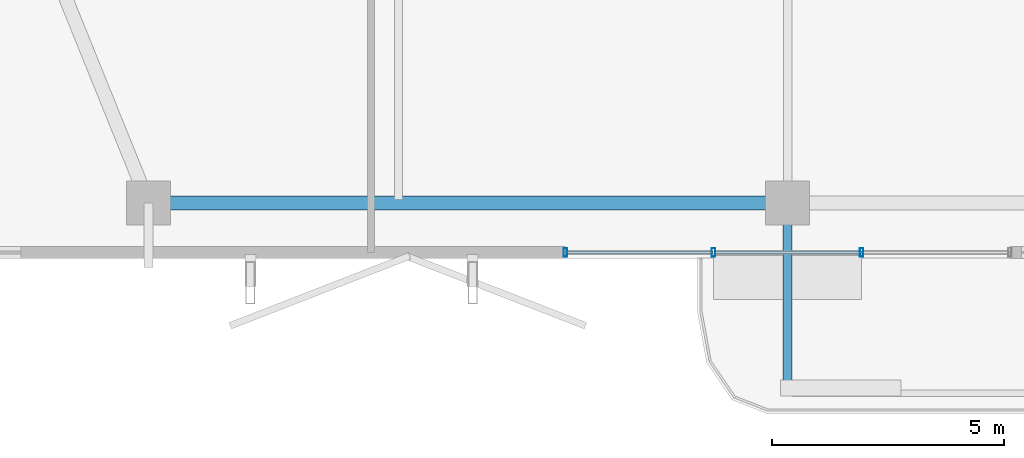
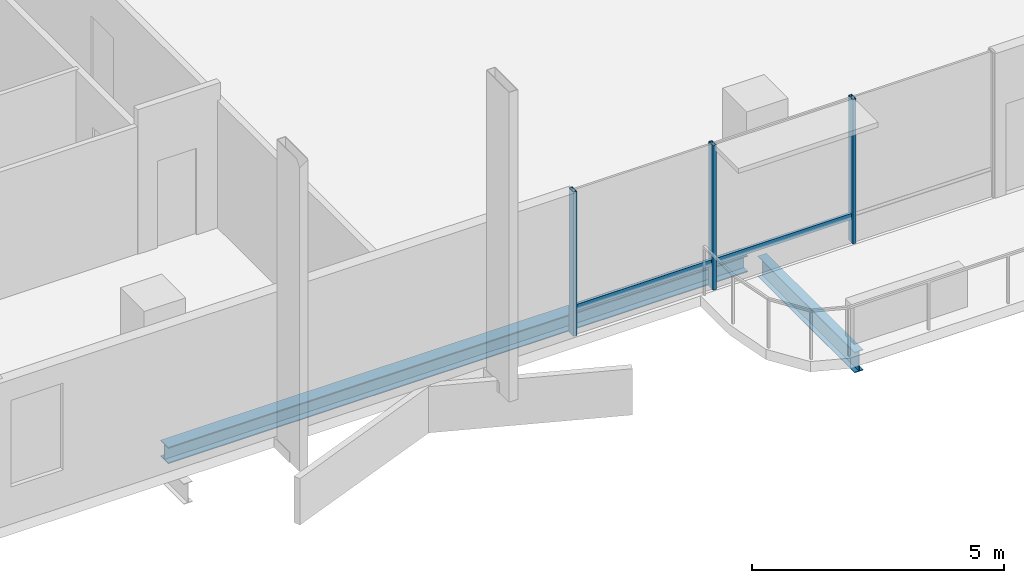
# One storey, part 2 of 25: 5 members, 2 beams, 1 element without a shape of its own.
"""IFC4 building model written with IfcOpenShell, lengths in metres."""

from ifc_helpers import new_model, si_unit, direction, frame, origin, origin_2d, place, context, subcontext, project, spatial, hollow_rectangle, i_section, extrude, material, layer, layer_set, material_profile, profile_set, type_object, element, aggregate, save


model = new_model("IFC4")

# Units and contexts
model_context = context("Model", 3, precision=1e-05, world=origin(), true_north=direction((0.0, 1.0)))
body_context = subcontext(model_context, "Body", "Model", "MODEL_VIEW")
ifc_project = project(units=[si_unit("LENGTHUNIT", "METRE"), si_unit("AREAUNIT", "SQUARE_METRE"), si_unit("VOLUMEUNIT", "CUBIC_METRE"), si_unit("PLANEANGLEUNIT", "RADIAN"), si_unit("MASSUNIT", "GRAM", prefix="KILO")], contexts=[model_context])

# Site, building, storey
site_placement = place(None, origin())
site = spatial("IfcSite", under=ifc_project, at=site_placement, CompositionType="ELEMENT")
building_placement = place(site_placement, origin())
building = spatial("IfcBuilding", under=site, at=building_placement, Name="Belovzor Exchange Tower", CompositionType="ELEMENT")
storey_placement = place(building_placement, frame((0.0, 0.0, 257.85009765625)))
storey = spatial("IfcBuildingStorey", under=building, at=storey_placement, Name="L64", CompositionType="ELEMENT", Elevation=257.85009765625)

# Beam
ifc_material_1 = material(Name="Steel S355", Category="steel")
ifc_material_profile_1 = material_profile(ifc_material_1, i_section(OverallWidth=0.199951171875, OverallDepth=0.5, WebThickness=0.01025390625, FlangeThickness=0.01611328125, at=origin_2d()))
ifc_profile_set_1 = profile_set([ifc_material_profile_1], Name="Steel S355")
beam_type_1 = type_object("IfcBeamType", Name="Planted Balcony Cantilever Beam IPE 500", PredefinedType="BEAM", material=ifc_profile_set_1)
beam_1_placement = place(storey_placement, frame((28.800048828125, 4.839111328125, -0.5), z_axis=(0.0, -1.0, 0.0), x_axis=(1.0, 0.0, 0.0)))
element("IfcBeam", 1, at=beam_1_placement, inside=storey, type_object=beam_type_1, Name="BC-500 Planted Balcony Cantilever Beam IPE 500", PredefinedType="BEAM", context=body_context, shape_type="SweptSolid", body=[
    extrude(i_section(OverallWidth=0.199951171875, OverallDepth=0.5, WebThickness=0.01025390625, FlangeThickness=0.01611328125, at=origin_2d()), origin(), (0.0, 0.0, 1.0), 3.85009765625),
])

# Curtain wall, members
ifc_material_2 = material(Name="Anodised Aluminium Framing", Category="aluminium")
ifc_layer = layer(ifc_material_2, 0.179931640625)
ifc_layer_set = layer_set([ifc_layer], Name="Anodised Aluminium Framing")
curtain_wall_type = type_object("IfcCurtainWallType", Name="Recessed Loggia Low-Iron Triple-Glazed Curtain Wall", PredefinedType="NOTDEFINED", material=ifc_layer_set)
curtain_wall_placement = place(storey_placement, origin())
curtain_wall = element("IfcCurtainWall", 2, at=curtain_wall_placement, inside=storey, type_object=curtain_wall_type, Name="CW3 Recessed Loggia Low-Iron Triple-Glazed Curtain Wall L64", PredefinedType="NOTDEFINED")
ifc_material_3 = material(Name="Steel S355", Category="steel")
ifc_material_profile_2 = material_profile(ifc_material_3, hollow_rectangle(XDim=0.074951171875, YDim=0.179931640625, WallThickness=0.0048828125, at=origin_2d()))
ifc_profile_set_2 = profile_set([ifc_material_profile_2], Name="Steel S355")
member_type_1 = type_object("IfcMemberType", Name="Thermally Broken Curtain Wall Mullion 180x75", PredefinedType="MULLION", material=ifc_profile_set_2)
member_1_placement = place(storey_placement, frame((30.39990234375, 4.030029296875, 0.0), z_axis=(0.0, 0.0, 1.0), x_axis=(-1.0, 0.0, 0.0)))
member_1 = element("IfcMember", 3, at=member_1_placement, type_object=member_type_1, Name="CW-M180 Curtain Wall Mullion 2", PredefinedType="MULLION", context=body_context, shape_type="SweptSolid", body=[
    extrude(hollow_rectangle(XDim=0.074951171875, YDim=0.179931640625, WallThickness=0.0048828125, at=origin_2d()), origin(), (0.0, 0.0, 1.0), 3.5),
])
member_2_placement = place(storey_placement, frame((27.199951171875, 4.030029296875, 0.0), z_axis=(0.0, 0.0, 1.0), x_axis=(-1.0, 0.0, 0.0)))
member_2 = element("IfcMember", 4, at=member_2_placement, type_object=member_type_1, Name="CW-M180 Curtain Wall Mullion 3", PredefinedType="MULLION", context=body_context, shape_type="SweptSolid", body=[
    extrude(hollow_rectangle(XDim=0.074951171875, YDim=0.179931640625, WallThickness=0.0048828125, at=origin_2d()), origin(), (0.0, 0.0, 1.0), 3.5),
])
member_3_placement = place(storey_placement, frame((24.0, 4.030029296875, 0.0), z_axis=(0.0, 0.0, 1.0), x_axis=(-1.0, 0.0, 0.0)))
member_3 = element("IfcMember", 5, at=member_3_placement, type_object=member_type_1, Name="CW-M180 Curtain Wall Mullion 4", PredefinedType="MULLION", context=body_context, shape_type="SweptSolid", body=[
    extrude(hollow_rectangle(XDim=0.074951171875, YDim=0.179931640625, WallThickness=0.0048828125, at=origin_2d()), origin(), (0.0, 0.0, 1.0), 3.5),
])
ifc_material_4 = material(Name="Steel S355", Category="steel")
ifc_material_profile_3 = material_profile(ifc_material_4, hollow_rectangle(XDim=0.06005859375, YDim=0.14990234375, WallThickness=0.00390625, at=origin_2d()))
ifc_profile_set_3 = profile_set([ifc_material_profile_3], Name="Steel S355")
member_type_2 = type_object("IfcMemberType", Name="Thermally Broken Curtain Wall Transom 150x60", PredefinedType="USERDEFINED", material=ifc_profile_set_3)
member_4_placement = place(storey_placement, frame((30.39208984375, 4.030029296875, 0.6298828125), z_axis=(-1.0, 0.0, 0.0), x_axis=(0.0, -1.0, 0.0)))
member_4 = element("IfcMember", 6, at=member_4_placement, type_object=member_type_2, Name="CW-T150 Curtain Wall Transom 2", ObjectType="TRANSOM", PredefinedType="USERDEFINED", context=body_context, shape_type="SweptSolid", body=[
    extrude(hollow_rectangle(XDim=0.06005859375, YDim=0.14990234375, WallThickness=0.00390625, at=origin_2d()), origin(), (0.0, 0.0, 1.0), 3.18408203125),
])
member_5_placement = place(storey_placement, frame((27.19189453125, 4.030029296875, 0.6298828125), z_axis=(-1.0, 0.0, 0.0), x_axis=(0.0, -1.0, 0.0)))
member_5 = element("IfcMember", 7, at=member_5_placement, type_object=member_type_2, Name="CW-T150 Curtain Wall Transom 3", ObjectType="TRANSOM", PredefinedType="USERDEFINED", context=body_context, shape_type="SweptSolid", body=[
    extrude(hollow_rectangle(XDim=0.06005859375, YDim=0.14990234375, WallThickness=0.00390625, at=origin_2d()), origin(), (0.0, 0.0, 1.0), 3.183837890625),
])
aggregate(curtain_wall, [member_1, member_2, member_3, member_4, member_5])

# Beam
ifc_material_5 = material(Name="Steel S355", Category="steel")
ifc_material_profile_4 = material_profile(ifc_material_5, i_section(OverallWidth=0.300048828125, OverallDepth=0.39990234375, WebThickness=0.013427734375, FlangeThickness=0.02392578125, at=origin_2d()))
ifc_profile_set_4 = profile_set([ifc_material_profile_4], Name="Steel S355")
beam_type_2 = type_object("IfcBeamType", Name="Zone 5 Primary Girder HEB 400", PredefinedType="BEAM", material=ifc_profile_set_4)
beam_2_placement = place(storey_placement, frame((15.260986328125, 5.10009765625, -0.4501953125), z_axis=(1.0, 0.0, 0.0), x_axis=(0.0, 1.0, 0.0)))
element("IfcBeam", 8, at=beam_2_placement, inside=storey, type_object=beam_type_2, Name="FG-Z5 Zone 5 Primary Girder HEB 400", PredefinedType="BEAM", context=body_context, shape_type="SweptSolid", body=[
    extrude(i_section(OverallWidth=0.300048828125, OverallDepth=0.39990234375, WebThickness=0.013427734375, FlangeThickness=0.02392578125, at=origin_2d()), origin(), (0.0, 0.0, 1.0), 13.278076171875),
])

save(model, "model.ifc")
